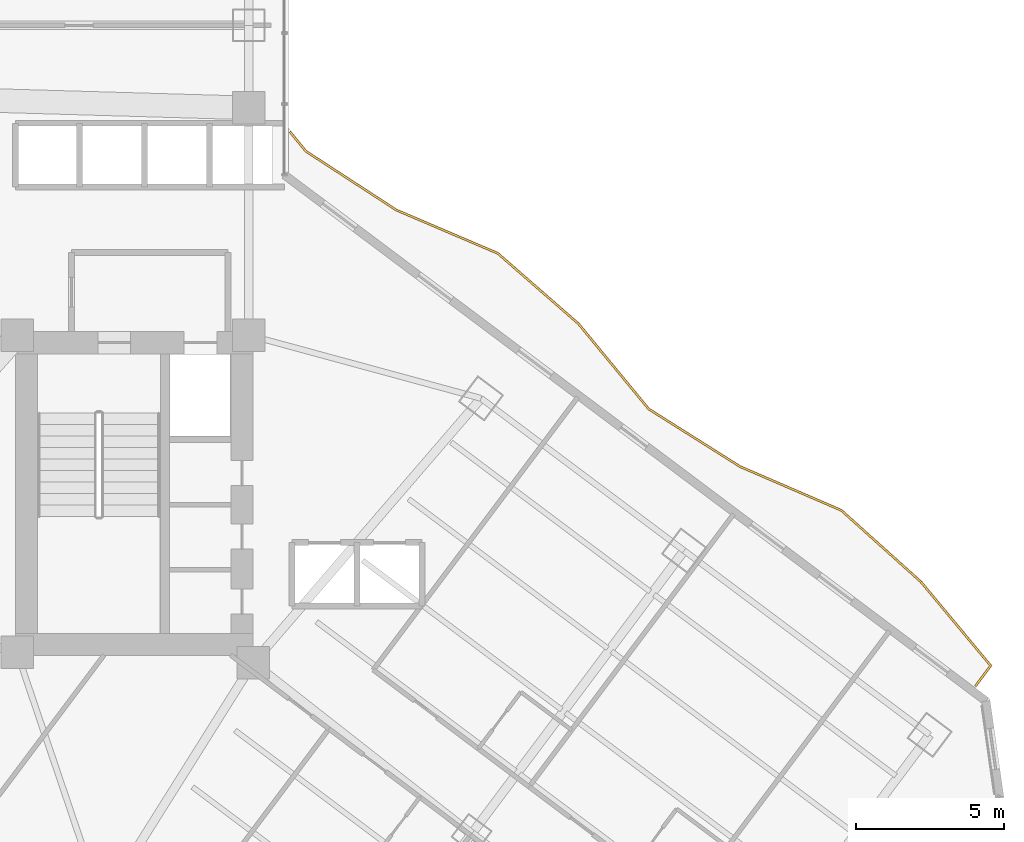
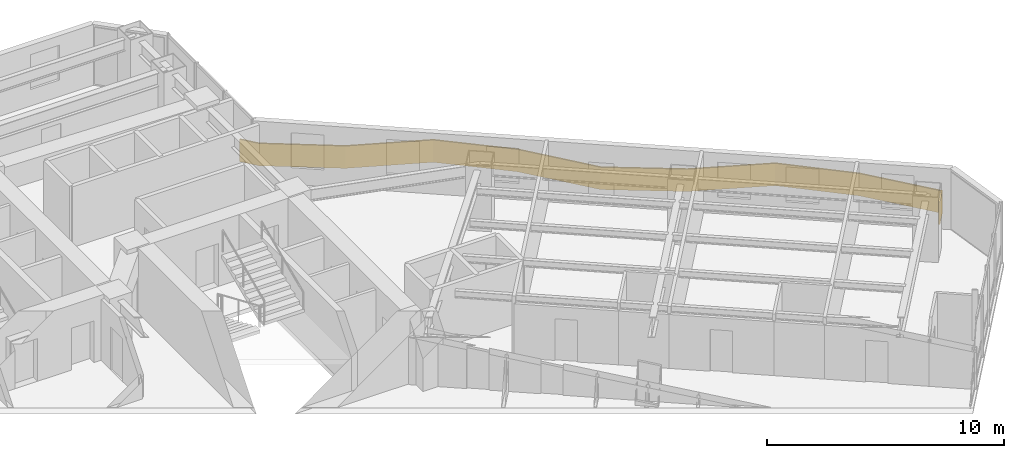
# One storey, part 34 of 37: 1 railing.
"""IFC4 building model written with IfcOpenShell, lengths in metres."""

from ifc_helpers import new_model, si_unit, direction, frame, origin, place, context, subcontext, project, spatial, polyline, outline, extrude, material, layer, layer_set, type_object, element, save


model = new_model("IFC4")

# Units and contexts
model_context = context("Model", 3, precision=1e-05, world=origin(), true_north=direction((0.0, 1.0)))
body_context = subcontext(model_context, "Body", "Model", "MODEL_VIEW")
ifc_project = project(units=[si_unit("LENGTHUNIT", "METRE"), si_unit("AREAUNIT", "SQUARE_METRE"), si_unit("VOLUMEUNIT", "CUBIC_METRE"), si_unit("PLANEANGLEUNIT", "RADIAN"), si_unit("MASSUNIT", "GRAM", prefix="KILO")], contexts=[model_context])

# Site, building, storey
site_placement = place(None, origin())
site = spatial("IfcSite", under=ifc_project, at=site_placement, CompositionType="ELEMENT")
building_placement = place(site_placement, origin())
building = spatial("IfcBuilding", under=site, at=building_placement, Name="Hatsunagi Terrace Concourse", CompositionType="ELEMENT")
storey_placement = place(building_placement, frame((0.0, 0.0, 39.949951171875)))
storey = spatial("IfcBuildingStorey", under=building, at=storey_placement, Name="L09", CompositionType="ELEMENT", Elevation=39.949951171875)

# Railing
ifc_material = material(Name="Laminated Glass and Stainless Steel Guard", Category="steel")
ifc_layer = layer(ifc_material, 0.070068359375)
ifc_layer_set = layer_set([ifc_layer], Name="BalconyGlassGuardRail_1150")
railing_type = type_object("IfcRailingType", Name="BalconyGlassGuardRail_1150", PredefinedType="BALUSTRADE", material=ifc_layer_set)
railing_placement = place(storey_placement, origin())
element("IfcRailing", 1, at=railing_placement, inside=storey, type_object=railing_type, Name="Engawa Balcony Guard GRD-01 L09-BSE-1", PredefinedType="BALUSTRADE", context=body_context, shape_type="SweptSolid", body=[
    extrude(outline(polyline([(45.072998046875, 42.214111328125), (45.018798828125, 42.169921875), (45.561279296875, 41.505615234375), (48.631591796875, 39.510009765625), (52.067138671875, 38.0439453125), (54.796875, 35.66162109375), (57.1787109375, 32.771484375), (60.279541015625, 30.81689453125), (63.703857421875, 29.338134765625), (66.402587890625, 26.914794921875), (68.743408203125, 24.099853515625), (68.241943359375, 23.430908203125), (68.298095703125, 23.388916015625), (68.83251953125, 24.10205078125), (66.453369140625, 26.96337890625), (63.7421875, 29.39794921875), (60.3125, 30.879150390625), (57.225341796875, 32.82470703125), (54.84716796875, 35.71044921875), (52.104736328125, 38.10400390625), (48.66455078125, 39.572021484375), (45.608642578125, 41.558349609375), (45.072998046875, 42.214111328125)])), origin(), (0.0, 0.0, 1.0), 1.150146484375),
])

save(model, "model.ifc")
